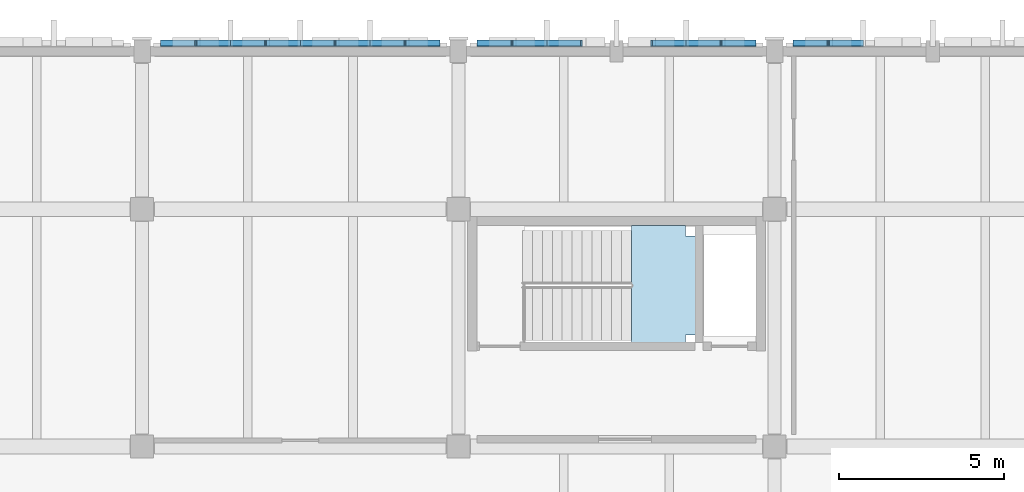
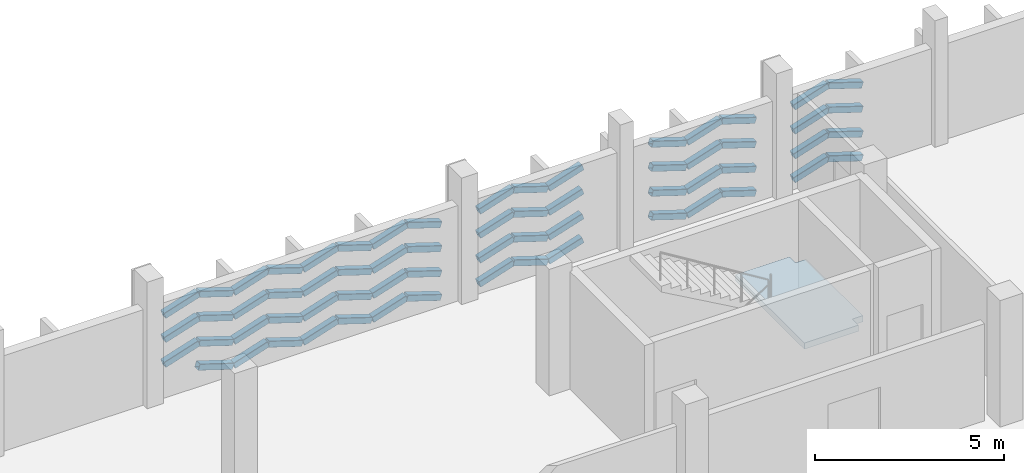
# One storey, part 101 of 134: 63 plates, 1 slab, 1 element without a shape of its own.
"""IFC4 building model written with IfcOpenShell, lengths in metres."""

from ifc_helpers import new_model, si_unit, direction, frame, origin, origin_2d, place, context, subcontext, project, spatial, polyline, hollow_rectangle, outline, extrude, material, layer, layer_set, material_profile, profile_set, type_object, element, aggregate, save


model = new_model("IFC4")

# Units and contexts
model_context = context("Model", 3, precision=1e-05, world=origin(), true_north=direction((0.0, 1.0)))
body_context = subcontext(model_context, "Body", "Model", "MODEL_VIEW")
ifc_project = project(units=[si_unit("LENGTHUNIT", "METRE"), si_unit("AREAUNIT", "SQUARE_METRE"), si_unit("VOLUMEUNIT", "CUBIC_METRE"), si_unit("PLANEANGLEUNIT", "RADIAN"), si_unit("MASSUNIT", "GRAM", prefix="KILO")], contexts=[model_context])

# Site, building, storey
site_placement = place(None, origin())
site = spatial("IfcSite", under=ifc_project, at=site_placement, CompositionType="ELEMENT")
building_placement = place(site_placement, origin())
building = spatial("IfcBuilding", under=site, at=building_placement, Name="Asteropetra Specialist Clinic", CompositionType="ELEMENT")
storey_placement = place(building_placement, frame((0.0, 0.0, 8.5)))
storey = spatial("IfcBuildingStorey", under=building, at=storey_placement, Name="L02", CompositionType="ELEMENT", Elevation=8.5)

# Plates
ifc_material_1 = material(Name="Chevron emerald aluminium 6063-T6", Category="aluminium")
ifc_material_profile = material_profile(ifc_material_1, hollow_rectangle(XDim=0.199951171875, YDim=0.199951171875, WallThickness=0.010009765625, InnerFilletRadius=0.008056640625, OuterFilletRadius=0.01611328125, at=origin_2d()), Name="SHS 200x200x10.0")
ifc_profile_set = profile_set([ifc_material_profile], Name="Chevron emerald aluminium 6063-T6")
plate_type = type_object("IfcPlateType", Name="CHV-RIB-200", PredefinedType="SHEET", material=ifc_profile_set)
plate_1_placement = place(storey_placement, frame((28.2099609375, 110.64208984375, 0.050048828125), z_axis=(-0.952077507958, 0.0, 0.305856860052), x_axis=(0.0, -1.0, 0.0)))
element("IfcPlate", 1, at=plate_1_placement, inside=storey, type_object=plate_type, Name="Chevron Facade Screen Fin CVR-0899", PredefinedType="SHEET", context=body_context, shape_type="SweptSolid", body=[
    extrude(hollow_rectangle(XDim=0.199951171875, YDim=0.199951171875, WallThickness=0.010009765625, InnerFilletRadius=0.008056640625, OuterFilletRadius=0.01611328125, at=origin_2d()), origin(), (0.0, 0.0, 1.0), 1.089599609375),
])
plate_2_placement = place(storey_placement, frame((27.172607421875, 110.64208984375, 0.38330078125), z_axis=(-0.952098462736, 0.0, -0.305791623914), x_axis=(0.0, -1.0, 0.0)))
element("IfcPlate", 2, at=plate_2_placement, inside=storey, type_object=plate_type, Name="Chevron Facade Screen Fin CVR-0900", PredefinedType="SHEET", context=body_context, shape_type="SweptSolid", body=[
    extrude(hollow_rectangle(XDim=0.199951171875, YDim=0.199951171875, WallThickness=0.010009765625, InnerFilletRadius=0.008056640625, OuterFilletRadius=0.01611328125, at=origin_2d()), origin(), (0.0, 0.0, 1.0), 1.08984375),
])
plate_3_placement = place(storey_placement, frame((28.2099609375, 110.64208984375, 0.820068359375), z_axis=(-0.952077507958, 0.0, 0.305856860052), x_axis=(0.0, -1.0, 0.0)))
element("IfcPlate", 3, at=plate_3_placement, inside=storey, type_object=plate_type, Name="Chevron Facade Screen Fin CVR-0901", PredefinedType="SHEET", context=body_context, shape_type="SweptSolid", body=[
    extrude(hollow_rectangle(XDim=0.199951171875, YDim=0.199951171875, WallThickness=0.010009765625, InnerFilletRadius=0.008056640625, OuterFilletRadius=0.01611328125, at=origin_2d()), origin(), (0.0, 0.0, 1.0), 1.089599609375),
])
plate_4_placement = place(storey_placement, frame((27.172607421875, 110.64208984375, 1.1533203125), z_axis=(-0.952098462736, 0.0, -0.305791623914), x_axis=(0.0, -1.0, 0.0)))
element("IfcPlate", 4, at=plate_4_placement, inside=storey, type_object=plate_type, Name="Chevron Facade Screen Fin CVR-0902", PredefinedType="SHEET", context=body_context, shape_type="SweptSolid", body=[
    extrude(hollow_rectangle(XDim=0.199951171875, YDim=0.199951171875, WallThickness=0.010009765625, InnerFilletRadius=0.008056640625, OuterFilletRadius=0.01611328125, at=origin_2d()), origin(), (0.0, 0.0, 1.0), 1.08984375),
])
plate_5_placement = place(storey_placement, frame((28.2099609375, 110.64208984375, 1.6201171875), z_axis=(-0.952077507958, 0.0, 0.305856860052), x_axis=(0.0, -1.0, 0.0)))
element("IfcPlate", 5, at=plate_5_placement, inside=storey, type_object=plate_type, Name="Chevron Facade Screen Fin CVR-0903", PredefinedType="SHEET", context=body_context, shape_type="SweptSolid", body=[
    extrude(hollow_rectangle(XDim=0.199951171875, YDim=0.199951171875, WallThickness=0.010009765625, InnerFilletRadius=0.008056640625, OuterFilletRadius=0.01611328125, at=origin_2d()), origin(), (0.0, 0.0, 1.0), 1.089599609375),
])
plate_6_placement = place(storey_placement, frame((27.172607421875, 110.64208984375, 1.953369140625), z_axis=(-0.952098462736, 0.0, -0.305791623914), x_axis=(0.0, -1.0, 0.0)))
element("IfcPlate", 6, at=plate_6_placement, inside=storey, type_object=plate_type, Name="Chevron Facade Screen Fin CVR-0904", PredefinedType="SHEET", context=body_context, shape_type="SweptSolid", body=[
    extrude(hollow_rectangle(XDim=0.199951171875, YDim=0.199951171875, WallThickness=0.010009765625, InnerFilletRadius=0.008056640625, OuterFilletRadius=0.01611328125, at=origin_2d()), origin(), (0.0, 0.0, 1.0), 1.08984375),
])
plate_7_placement = place(storey_placement, frame((28.2099609375, 110.64208984375, 2.39990234375), z_axis=(-0.952012241431, 0.0, 0.306059948646), x_axis=(0.0, -1.0, 0.0)))
element("IfcPlate", 7, at=plate_7_placement, inside=storey, type_object=plate_type, Name="Chevron Facade Screen Fin CVR-0905", PredefinedType="SHEET", context=body_context, shape_type="SweptSolid", body=[
    extrude(hollow_rectangle(XDim=0.199951171875, YDim=0.199951171875, WallThickness=0.010009765625, InnerFilletRadius=0.008056640625, OuterFilletRadius=0.01611328125, at=origin_2d()), origin(), (0.0, 0.0, 1.0), 1.089599609375),
])
plate_8_placement = place(storey_placement, frame((27.172607421875, 110.64208984375, 2.7333984375), z_axis=(-0.952033222609, 0.0, -0.305994678137), x_axis=(0.0, -1.0, 0.0)))
element("IfcPlate", 8, at=plate_8_placement, inside=storey, type_object=plate_type, Name="Chevron Facade Screen Fin CVR-0906", PredefinedType="SHEET", context=body_context, shape_type="SweptSolid", body=[
    extrude(hollow_rectangle(XDim=0.199951171875, YDim=0.199951171875, WallThickness=0.010009765625, InnerFilletRadius=0.008056640625, OuterFilletRadius=0.01611328125, at=origin_2d()), origin(), (0.0, 0.0, 1.0), 1.08984375),
])
plate_9_placement = place(storey_placement, frame((26.094970703125, 110.64208984375, 0.050048828125), z_axis=(-0.952077507958, 0.0, 0.305856860052), x_axis=(0.0, -1.0, 0.0)))
element("IfcPlate", 9, at=plate_9_placement, inside=storey, type_object=plate_type, Name="Chevron Facade Screen Fin CVR-0907", PredefinedType="SHEET", context=body_context, shape_type="SweptSolid", body=[
    extrude(hollow_rectangle(XDim=0.199951171875, YDim=0.199951171875, WallThickness=0.010009765625, InnerFilletRadius=0.008056640625, OuterFilletRadius=0.01611328125, at=origin_2d()), origin(), (0.0, 0.0, 1.0), 1.089599609375),
])
plate_10_placement = place(storey_placement, frame((25.0576171875, 110.64208984375, 0.38330078125), z_axis=(-0.952098462736, 0.0, -0.305791623914), x_axis=(0.0, -1.0, 0.0)))
element("IfcPlate", 10, at=plate_10_placement, inside=storey, type_object=plate_type, Name="Chevron Facade Screen Fin CVR-0908", PredefinedType="SHEET", context=body_context, shape_type="SweptSolid", body=[
    extrude(hollow_rectangle(XDim=0.199951171875, YDim=0.199951171875, WallThickness=0.010009765625, InnerFilletRadius=0.008056640625, OuterFilletRadius=0.01611328125, at=origin_2d()), origin(), (0.0, 0.0, 1.0), 1.08984375),
])
plate_11_placement = place(storey_placement, frame((26.094970703125, 110.64208984375, 0.820068359375), z_axis=(-0.952077507958, 0.0, 0.305856860052), x_axis=(0.0, -1.0, 0.0)))
element("IfcPlate", 11, at=plate_11_placement, inside=storey, type_object=plate_type, Name="Chevron Facade Screen Fin CVR-0909", PredefinedType="SHEET", context=body_context, shape_type="SweptSolid", body=[
    extrude(hollow_rectangle(XDim=0.199951171875, YDim=0.199951171875, WallThickness=0.010009765625, InnerFilletRadius=0.008056640625, OuterFilletRadius=0.01611328125, at=origin_2d()), origin(), (0.0, 0.0, 1.0), 1.089599609375),
])
plate_12_placement = place(storey_placement, frame((25.0576171875, 110.64208984375, 1.1533203125), z_axis=(-0.952098462736, 0.0, -0.305791623914), x_axis=(0.0, -1.0, 0.0)))
element("IfcPlate", 12, at=plate_12_placement, inside=storey, type_object=plate_type, Name="Chevron Facade Screen Fin CVR-0910", PredefinedType="SHEET", context=body_context, shape_type="SweptSolid", body=[
    extrude(hollow_rectangle(XDim=0.199951171875, YDim=0.199951171875, WallThickness=0.010009765625, InnerFilletRadius=0.008056640625, OuterFilletRadius=0.01611328125, at=origin_2d()), origin(), (0.0, 0.0, 1.0), 1.08984375),
])
plate_13_placement = place(storey_placement, frame((26.094970703125, 110.64208984375, 1.6201171875), z_axis=(-0.952077507958, 0.0, 0.305856860052), x_axis=(0.0, -1.0, 0.0)))
element("IfcPlate", 13, at=plate_13_placement, inside=storey, type_object=plate_type, Name="Chevron Facade Screen Fin CVR-0911", PredefinedType="SHEET", context=body_context, shape_type="SweptSolid", body=[
    extrude(hollow_rectangle(XDim=0.199951171875, YDim=0.199951171875, WallThickness=0.010009765625, InnerFilletRadius=0.008056640625, OuterFilletRadius=0.01611328125, at=origin_2d()), origin(), (0.0, 0.0, 1.0), 1.089599609375),
])
plate_14_placement = place(storey_placement, frame((25.0576171875, 110.64208984375, 1.953369140625), z_axis=(-0.952098462736, 0.0, -0.305791623914), x_axis=(0.0, -1.0, 0.0)))
element("IfcPlate", 14, at=plate_14_placement, inside=storey, type_object=plate_type, Name="Chevron Facade Screen Fin CVR-0912", PredefinedType="SHEET", context=body_context, shape_type="SweptSolid", body=[
    extrude(hollow_rectangle(XDim=0.199951171875, YDim=0.199951171875, WallThickness=0.010009765625, InnerFilletRadius=0.008056640625, OuterFilletRadius=0.01611328125, at=origin_2d()), origin(), (0.0, 0.0, 1.0), 1.08984375),
])
plate_15_placement = place(storey_placement, frame((26.094970703125, 110.64208984375, 2.39990234375), z_axis=(-0.952012241431, 0.0, 0.306059948646), x_axis=(0.0, -1.0, 0.0)))
element("IfcPlate", 15, at=plate_15_placement, inside=storey, type_object=plate_type, Name="Chevron Facade Screen Fin CVR-0913", PredefinedType="SHEET", context=body_context, shape_type="SweptSolid", body=[
    extrude(hollow_rectangle(XDim=0.199951171875, YDim=0.199951171875, WallThickness=0.010009765625, InnerFilletRadius=0.008056640625, OuterFilletRadius=0.01611328125, at=origin_2d()), origin(), (0.0, 0.0, 1.0), 1.089599609375),
])
for number, where, z_axis, x_axis, name in (
    (16, (25.0576171875, 110.64208984375, 2.7333984375), (-0.952033222609, 0.0, -0.305994678137), (0.0, -1.0, 0.0), "Chevron Facade Screen Fin CVR-0914"),
    (17, (23.97998046875, 110.64208984375, 0.050048828125), (-0.952098462736, 0.0, 0.305791623914), (0.0, -1.0, 0.0), "Chevron Facade Screen Fin CVR-0915"),
):
    element("IfcPlate", number, at=place(storey_placement, frame(where, z_axis=z_axis, x_axis=x_axis)), inside=storey, type_object=plate_type, Name=name, PredefinedType="SHEET", context=body_context, shape_type="SweptSolid", body=[
        extrude(hollow_rectangle(XDim=0.199951171875, YDim=0.199951171875, WallThickness=0.010009765625, InnerFilletRadius=0.008056640625, OuterFilletRadius=0.01611328125, at=origin_2d()), origin(), (0.0, 0.0, 1.0), 1.08984375),
    ])
plate_16_placement = place(storey_placement, frame((22.9423828125, 110.64208984375, 0.38330078125), z_axis=(-0.952077507958, 0.0, -0.305856860052), x_axis=(0.0, -1.0, 0.0)))
element("IfcPlate", 18, at=plate_16_placement, inside=storey, type_object=plate_type, Name="Chevron Facade Screen Fin CVR-0916", PredefinedType="SHEET", context=body_context, shape_type="SweptSolid", body=[
    extrude(hollow_rectangle(XDim=0.199951171875, YDim=0.199951171875, WallThickness=0.010009765625, InnerFilletRadius=0.008056640625, OuterFilletRadius=0.01611328125, at=origin_2d()), origin(), (0.0, 0.0, 1.0), 1.089599609375),
])
plate_17_placement = place(storey_placement, frame((23.97998046875, 110.64208984375, 0.820068359375), z_axis=(-0.952098462736, 0.0, 0.305791623914), x_axis=(0.0, -1.0, 0.0)))
element("IfcPlate", 19, at=plate_17_placement, inside=storey, type_object=plate_type, Name="Chevron Facade Screen Fin CVR-0917", PredefinedType="SHEET", context=body_context, shape_type="SweptSolid", body=[
    extrude(hollow_rectangle(XDim=0.199951171875, YDim=0.199951171875, WallThickness=0.010009765625, InnerFilletRadius=0.008056640625, OuterFilletRadius=0.01611328125, at=origin_2d()), origin(), (0.0, 0.0, 1.0), 1.08984375),
])
plate_18_placement = place(storey_placement, frame((22.9423828125, 110.64208984375, 1.1533203125), z_axis=(-0.952077507958, 0.0, -0.305856860052), x_axis=(0.0, -1.0, 0.0)))
element("IfcPlate", 20, at=plate_18_placement, inside=storey, type_object=plate_type, Name="Chevron Facade Screen Fin CVR-0918", PredefinedType="SHEET", context=body_context, shape_type="SweptSolid", body=[
    extrude(hollow_rectangle(XDim=0.199951171875, YDim=0.199951171875, WallThickness=0.010009765625, InnerFilletRadius=0.008056640625, OuterFilletRadius=0.01611328125, at=origin_2d()), origin(), (0.0, 0.0, 1.0), 1.089599609375),
])
plate_19_placement = place(storey_placement, frame((23.97998046875, 110.64208984375, 1.6201171875), z_axis=(-0.952098462736, 0.0, 0.305791623914), x_axis=(0.0, -1.0, 0.0)))
element("IfcPlate", 21, at=plate_19_placement, inside=storey, type_object=plate_type, Name="Chevron Facade Screen Fin CVR-0919", PredefinedType="SHEET", context=body_context, shape_type="SweptSolid", body=[
    extrude(hollow_rectangle(XDim=0.199951171875, YDim=0.199951171875, WallThickness=0.010009765625, InnerFilletRadius=0.008056640625, OuterFilletRadius=0.01611328125, at=origin_2d()), origin(), (0.0, 0.0, 1.0), 1.08984375),
])
plate_20_placement = place(storey_placement, frame((22.9423828125, 110.64208984375, 1.953369140625), z_axis=(-0.952077507958, 0.0, -0.305856860052), x_axis=(0.0, -1.0, 0.0)))
element("IfcPlate", 22, at=plate_20_placement, inside=storey, type_object=plate_type, Name="Chevron Facade Screen Fin CVR-0920", PredefinedType="SHEET", context=body_context, shape_type="SweptSolid", body=[
    extrude(hollow_rectangle(XDim=0.199951171875, YDim=0.199951171875, WallThickness=0.010009765625, InnerFilletRadius=0.008056640625, OuterFilletRadius=0.01611328125, at=origin_2d()), origin(), (0.0, 0.0, 1.0), 1.089599609375),
])
plate_21_placement = place(storey_placement, frame((23.97998046875, 110.64208984375, 2.39990234375), z_axis=(-0.952033222609, 0.0, 0.305994678137), x_axis=(0.0, -1.0, 0.0)))
element("IfcPlate", 23, at=plate_21_placement, inside=storey, type_object=plate_type, Name="Chevron Facade Screen Fin CVR-0921", PredefinedType="SHEET", context=body_context, shape_type="SweptSolid", body=[
    extrude(hollow_rectangle(XDim=0.199951171875, YDim=0.199951171875, WallThickness=0.010009765625, InnerFilletRadius=0.008056640625, OuterFilletRadius=0.01611328125, at=origin_2d()), origin(), (0.0, 0.0, 1.0), 1.08984375),
])
plate_22_placement = place(storey_placement, frame((22.9423828125, 110.64208984375, 2.7333984375), z_axis=(-0.952012241431, 0.0, -0.306059948646), x_axis=(0.0, -1.0, 0.0)))
element("IfcPlate", 24, at=plate_22_placement, inside=storey, type_object=plate_type, Name="Chevron Facade Screen Fin CVR-0922", PredefinedType="SHEET", context=body_context, shape_type="SweptSolid", body=[
    extrude(hollow_rectangle(XDim=0.199951171875, YDim=0.199951171875, WallThickness=0.010009765625, InnerFilletRadius=0.008056640625, OuterFilletRadius=0.01611328125, at=origin_2d()), origin(), (0.0, 0.0, 1.0), 1.089599609375),
])
for number, where, z_axis, x_axis, name in (
    (25, (21.864990234375, 110.64208984375, 0.050048828125), (-0.952098462736, 0.0, 0.305791623914), (0.0, -1.0, 0.0), "Chevron Facade Screen Fin CVR-0923"),
    (26, (21.864990234375, 110.64208984375, 0.820068359375), (-0.952098462736, 0.0, 0.305791623914), (0.0, -1.0, 0.0), "Chevron Facade Screen Fin CVR-0925"),
):
    element("IfcPlate", number, at=place(storey_placement, frame(where, z_axis=z_axis, x_axis=x_axis)), inside=storey, type_object=plate_type, Name=name, PredefinedType="SHEET", context=body_context, shape_type="SweptSolid", body=[
        extrude(hollow_rectangle(XDim=0.199951171875, YDim=0.199951171875, WallThickness=0.010009765625, InnerFilletRadius=0.008056640625, OuterFilletRadius=0.01611328125, at=origin_2d()), origin(), (0.0, 0.0, 1.0), 1.08984375),
    ])
plate_23_placement = place(storey_placement, frame((20.827392578125, 110.64208984375, 1.1533203125), z_axis=(-0.952077507958, 0.0, -0.305856860052), x_axis=(0.0, -1.0, 0.0)))
element("IfcPlate", 27, at=plate_23_placement, inside=storey, type_object=plate_type, Name="Chevron Facade Screen Fin CVR-0926", PredefinedType="SHEET", context=body_context, shape_type="SweptSolid", body=[
    extrude(hollow_rectangle(XDim=0.199951171875, YDim=0.199951171875, WallThickness=0.010009765625, InnerFilletRadius=0.008056640625, OuterFilletRadius=0.01611328125, at=origin_2d()), origin(), (0.0, 0.0, 1.0), 1.089599609375),
])
plate_24_placement = place(storey_placement, frame((21.864990234375, 110.64208984375, 1.6201171875), z_axis=(-0.952098462736, 0.0, 0.305791623914), x_axis=(0.0, -1.0, 0.0)))
element("IfcPlate", 28, at=plate_24_placement, inside=storey, type_object=plate_type, Name="Chevron Facade Screen Fin CVR-0927", PredefinedType="SHEET", context=body_context, shape_type="SweptSolid", body=[
    extrude(hollow_rectangle(XDim=0.199951171875, YDim=0.199951171875, WallThickness=0.010009765625, InnerFilletRadius=0.008056640625, OuterFilletRadius=0.01611328125, at=origin_2d()), origin(), (0.0, 0.0, 1.0), 1.08984375),
])
plate_25_placement = place(storey_placement, frame((20.827392578125, 110.64208984375, 1.953369140625), z_axis=(-0.952077507958, 0.0, -0.305856860052), x_axis=(0.0, -1.0, 0.0)))
element("IfcPlate", 29, at=plate_25_placement, inside=storey, type_object=plate_type, Name="Chevron Facade Screen Fin CVR-0928", PredefinedType="SHEET", context=body_context, shape_type="SweptSolid", body=[
    extrude(hollow_rectangle(XDim=0.199951171875, YDim=0.199951171875, WallThickness=0.010009765625, InnerFilletRadius=0.008056640625, OuterFilletRadius=0.01611328125, at=origin_2d()), origin(), (0.0, 0.0, 1.0), 1.089599609375),
])
plate_26_placement = place(storey_placement, frame((21.864990234375, 110.64208984375, 2.39990234375), z_axis=(-0.952033222609, 0.0, 0.305994678137), x_axis=(0.0, -1.0, 0.0)))
element("IfcPlate", 30, at=plate_26_placement, inside=storey, type_object=plate_type, Name="Chevron Facade Screen Fin CVR-0929", PredefinedType="SHEET", context=body_context, shape_type="SweptSolid", body=[
    extrude(hollow_rectangle(XDim=0.199951171875, YDim=0.199951171875, WallThickness=0.010009765625, InnerFilletRadius=0.008056640625, OuterFilletRadius=0.01611328125, at=origin_2d()), origin(), (0.0, 0.0, 1.0), 1.08984375),
])
plate_27_placement = place(storey_placement, frame((20.827392578125, 110.64208984375, 2.7333984375), z_axis=(-0.952012241431, 0.0, -0.306059948646), x_axis=(0.0, -1.0, 0.0)))
element("IfcPlate", 31, at=plate_27_placement, inside=storey, type_object=plate_type, Name="Chevron Facade Screen Fin CVR-0930", PredefinedType="SHEET", context=body_context, shape_type="SweptSolid", body=[
    extrude(hollow_rectangle(XDim=0.199951171875, YDim=0.199951171875, WallThickness=0.010009765625, InnerFilletRadius=0.008056640625, OuterFilletRadius=0.01611328125, at=origin_2d()), origin(), (0.0, 0.0, 1.0), 1.089599609375),
])
plate_28_placement = place(storey_placement, frame((37.81005859375, 110.64208984375, 0.050048828125), z_axis=(-0.952098462736, 0.0, 0.305791623914), x_axis=(0.0, -1.0, 0.0)))
element("IfcPlate", 32, at=plate_28_placement, inside=storey, type_object=plate_type, Name="Chevron Facade Screen Fin CVR-0955", PredefinedType="SHEET", context=body_context, shape_type="SweptSolid", body=[
    extrude(hollow_rectangle(XDim=0.199951171875, YDim=0.199951171875, WallThickness=0.010009765625, InnerFilletRadius=0.008056640625, OuterFilletRadius=0.01611328125, at=origin_2d()), origin(), (0.0, 0.0, 1.0), 1.08984375),
])
plate_29_placement = place(storey_placement, frame((36.7724609375, 110.64208984375, 0.38330078125), z_axis=(-0.952077507958, 0.0, -0.305856860052), x_axis=(0.0, -1.0, 0.0)))
element("IfcPlate", 33, at=plate_29_placement, inside=storey, type_object=plate_type, Name="Chevron Facade Screen Fin CVR-0956", PredefinedType="SHEET", context=body_context, shape_type="SweptSolid", body=[
    extrude(hollow_rectangle(XDim=0.199951171875, YDim=0.199951171875, WallThickness=0.010009765625, InnerFilletRadius=0.008056640625, OuterFilletRadius=0.01611328125, at=origin_2d()), origin(), (0.0, 0.0, 1.0), 1.089599609375),
])
plate_30_placement = place(storey_placement, frame((37.81005859375, 110.64208984375, 0.820068359375), z_axis=(-0.952098462736, 0.0, 0.305791623914), x_axis=(0.0, -1.0, 0.0)))
element("IfcPlate", 34, at=plate_30_placement, inside=storey, type_object=plate_type, Name="Chevron Facade Screen Fin CVR-0957", PredefinedType="SHEET", context=body_context, shape_type="SweptSolid", body=[
    extrude(hollow_rectangle(XDim=0.199951171875, YDim=0.199951171875, WallThickness=0.010009765625, InnerFilletRadius=0.008056640625, OuterFilletRadius=0.01611328125, at=origin_2d()), origin(), (0.0, 0.0, 1.0), 1.08984375),
])
plate_31_placement = place(storey_placement, frame((36.7724609375, 110.64208984375, 1.1533203125), z_axis=(-0.952077507958, 0.0, -0.305856860052), x_axis=(0.0, -1.0, 0.0)))
element("IfcPlate", 35, at=plate_31_placement, inside=storey, type_object=plate_type, Name="Chevron Facade Screen Fin CVR-0958", PredefinedType="SHEET", context=body_context, shape_type="SweptSolid", body=[
    extrude(hollow_rectangle(XDim=0.199951171875, YDim=0.199951171875, WallThickness=0.010009765625, InnerFilletRadius=0.008056640625, OuterFilletRadius=0.01611328125, at=origin_2d()), origin(), (0.0, 0.0, 1.0), 1.089599609375),
])
plate_32_placement = place(storey_placement, frame((37.81005859375, 110.64208984375, 1.6201171875), z_axis=(-0.952098462736, 0.0, 0.305791623914), x_axis=(0.0, -1.0, 0.0)))
element("IfcPlate", 36, at=plate_32_placement, inside=storey, type_object=plate_type, Name="Chevron Facade Screen Fin CVR-0959", PredefinedType="SHEET", context=body_context, shape_type="SweptSolid", body=[
    extrude(hollow_rectangle(XDim=0.199951171875, YDim=0.199951171875, WallThickness=0.010009765625, InnerFilletRadius=0.008056640625, OuterFilletRadius=0.01611328125, at=origin_2d()), origin(), (0.0, 0.0, 1.0), 1.08984375),
])
plate_33_placement = place(storey_placement, frame((36.7724609375, 110.64208984375, 1.953369140625), z_axis=(-0.952077507958, 0.0, -0.305856860052), x_axis=(0.0, -1.0, 0.0)))
element("IfcPlate", 37, at=plate_33_placement, inside=storey, type_object=plate_type, Name="Chevron Facade Screen Fin CVR-0960", PredefinedType="SHEET", context=body_context, shape_type="SweptSolid", body=[
    extrude(hollow_rectangle(XDim=0.199951171875, YDim=0.199951171875, WallThickness=0.010009765625, InnerFilletRadius=0.008056640625, OuterFilletRadius=0.01611328125, at=origin_2d()), origin(), (0.0, 0.0, 1.0), 1.089599609375),
])
plate_34_placement = place(storey_placement, frame((37.81005859375, 110.64208984375, 2.39990234375), z_axis=(-0.952033222609, 0.0, 0.305994678137), x_axis=(0.0, -1.0, 0.0)))
element("IfcPlate", 38, at=plate_34_placement, inside=storey, type_object=plate_type, Name="Chevron Facade Screen Fin CVR-0961", PredefinedType="SHEET", context=body_context, shape_type="SweptSolid", body=[
    extrude(hollow_rectangle(XDim=0.199951171875, YDim=0.199951171875, WallThickness=0.010009765625, InnerFilletRadius=0.008056640625, OuterFilletRadius=0.01611328125, at=origin_2d()), origin(), (0.0, 0.0, 1.0), 1.08984375),
])
plate_35_placement = place(storey_placement, frame((36.7724609375, 110.64208984375, 2.7333984375), z_axis=(-0.952012241431, 0.0, -0.306059948646), x_axis=(0.0, -1.0, 0.0)))
element("IfcPlate", 39, at=plate_35_placement, inside=storey, type_object=plate_type, Name="Chevron Facade Screen Fin CVR-0962", PredefinedType="SHEET", context=body_context, shape_type="SweptSolid", body=[
    extrude(hollow_rectangle(XDim=0.199951171875, YDim=0.199951171875, WallThickness=0.010009765625, InnerFilletRadius=0.008056640625, OuterFilletRadius=0.01611328125, at=origin_2d()), origin(), (0.0, 0.0, 1.0), 1.089599609375),
])
for number, where, z_axis, x_axis, name in (
    (40, (35.695068359375, 110.64208984375, 0.050048828125), (-0.952098462736, 0.0, 0.305791623914), (0.0, -1.0, 0.0), "Chevron Facade Screen Fin CVR-0963"),
    (41, (35.695068359375, 110.64208984375, 0.820068359375), (-0.952098462736, 0.0, 0.305791623914), (0.0, -1.0, 0.0), "Chevron Facade Screen Fin CVR-0964"),
    (42, (35.695068359375, 110.64208984375, 1.6201171875), (-0.952098462736, 0.0, 0.305791623914), (0.0, -1.0, 0.0), "Chevron Facade Screen Fin CVR-0965"),
    (43, (35.695068359375, 110.64208984375, 2.39990234375), (-0.952033222609, 0.0, 0.305994678137), (0.0, -1.0, 0.0), "Chevron Facade Screen Fin CVR-0966"),
    (44, (32.54248046875, 110.64208984375, 0.38330078125), (-0.952098462736, 0.0, -0.305791623914), (0.0, -1.0, 0.0), "Chevron Facade Screen Fin CVR-0967"),
    (45, (32.54248046875, 110.64208984375, 1.1533203125), (-0.952098462736, 0.0, -0.305791623914), (0.0, -1.0, 0.0), "Chevron Facade Screen Fin CVR-0968"),
    (46, (32.54248046875, 110.64208984375, 1.953369140625), (-0.952098462736, 0.0, -0.305791623914), (0.0, -1.0, 0.0), "Chevron Facade Screen Fin CVR-0969"),
    (47, (32.54248046875, 110.64208984375, 2.7333984375), (-0.952033222609, 0.0, -0.305994678137), (0.0, -1.0, 0.0), "Chevron Facade Screen Fin CVR-0970"),
    (48, (31.465087890625, 110.64208984375, 0.050048828125), (-0.952098462736, 0.0, 0.305791623914), (0.0, -1.0, 0.0), "Chevron Facade Screen Fin CVR-0971"),
    (49, (30.427490234375, 110.64208984375, 0.38330078125), (-0.952098462736, 0.0, -0.305791623914), (0.0, -1.0, 0.0), "Chevron Facade Screen Fin CVR-0972"),
    (50, (31.465087890625, 110.64208984375, 0.820068359375), (-0.952098462736, 0.0, 0.305791623914), (0.0, -1.0, 0.0), "Chevron Facade Screen Fin CVR-0973"),
    (51, (30.427490234375, 110.64208984375, 1.1533203125), (-0.952098462736, 0.0, -0.305791623914), (0.0, -1.0, 0.0), "Chevron Facade Screen Fin CVR-0974"),
    (52, (31.465087890625, 110.64208984375, 1.6201171875), (-0.952098462736, 0.0, 0.305791623914), (0.0, -1.0, 0.0), "Chevron Facade Screen Fin CVR-0975"),
    (53, (30.427490234375, 110.64208984375, 1.953369140625), (-0.952098462736, 0.0, -0.305791623914), (0.0, -1.0, 0.0), "Chevron Facade Screen Fin CVR-0976"),
    (54, (31.465087890625, 110.64208984375, 2.39990234375), (-0.952033222609, 0.0, 0.305994678137), (0.0, -1.0, 0.0), "Chevron Facade Screen Fin CVR-0977"),
    (55, (30.427490234375, 110.64208984375, 2.7333984375), (-0.952033222609, 0.0, -0.305994678137), (0.0, -1.0, 0.0), "Chevron Facade Screen Fin CVR-0978"),
):
    element("IfcPlate", number, at=place(storey_placement, frame(where, z_axis=z_axis, x_axis=x_axis)), inside=storey, type_object=plate_type, Name=name, PredefinedType="SHEET", context=body_context, shape_type="SweptSolid", body=[
        extrude(hollow_rectangle(XDim=0.199951171875, YDim=0.199951171875, WallThickness=0.010009765625, InnerFilletRadius=0.008056640625, OuterFilletRadius=0.01611328125, at=origin_2d()), origin(), (0.0, 0.0, 1.0), 1.08984375),
    ])
plate_36_placement = place(storey_placement, frame((41.06494140625, 110.64208984375, 0.050048828125), z_axis=(-0.952077507958, 0.0, 0.305856860052), x_axis=(0.0, -1.0, 0.0)))
element("IfcPlate", 56, at=plate_36_placement, inside=storey, type_object=plate_type, Name="Chevron Facade Screen Fin CVR-1019", PredefinedType="SHEET", context=body_context, shape_type="SweptSolid", body=[
    extrude(hollow_rectangle(XDim=0.199951171875, YDim=0.199951171875, WallThickness=0.010009765625, InnerFilletRadius=0.008056640625, OuterFilletRadius=0.01611328125, at=origin_2d()), origin(), (0.0, 0.0, 1.0), 1.089599609375),
])
plate_37_placement = place(storey_placement, frame((40.027587890625, 110.64208984375, 0.38330078125), z_axis=(-0.952098462736, 0.0, -0.305791623914), x_axis=(0.0, -1.0, 0.0)))
element("IfcPlate", 57, at=plate_37_placement, inside=storey, type_object=plate_type, Name="Chevron Facade Screen Fin CVR-1020", PredefinedType="SHEET", context=body_context, shape_type="SweptSolid", body=[
    extrude(hollow_rectangle(XDim=0.199951171875, YDim=0.199951171875, WallThickness=0.010009765625, InnerFilletRadius=0.008056640625, OuterFilletRadius=0.01611328125, at=origin_2d()), origin(), (0.0, 0.0, 1.0), 1.08984375),
])
plate_38_placement = place(storey_placement, frame((41.06494140625, 110.64208984375, 0.820068359375), z_axis=(-0.952077507958, 0.0, 0.305856860052), x_axis=(0.0, -1.0, 0.0)))
element("IfcPlate", 58, at=plate_38_placement, inside=storey, type_object=plate_type, Name="Chevron Facade Screen Fin CVR-1021", PredefinedType="SHEET", context=body_context, shape_type="SweptSolid", body=[
    extrude(hollow_rectangle(XDim=0.199951171875, YDim=0.199951171875, WallThickness=0.010009765625, InnerFilletRadius=0.008056640625, OuterFilletRadius=0.01611328125, at=origin_2d()), origin(), (0.0, 0.0, 1.0), 1.089599609375),
])
plate_39_placement = place(storey_placement, frame((40.027587890625, 110.64208984375, 1.1533203125), z_axis=(-0.952098462736, 0.0, -0.305791623914), x_axis=(0.0, -1.0, 0.0)))
element("IfcPlate", 59, at=plate_39_placement, inside=storey, type_object=plate_type, Name="Chevron Facade Screen Fin CVR-1022", PredefinedType="SHEET", context=body_context, shape_type="SweptSolid", body=[
    extrude(hollow_rectangle(XDim=0.199951171875, YDim=0.199951171875, WallThickness=0.010009765625, InnerFilletRadius=0.008056640625, OuterFilletRadius=0.01611328125, at=origin_2d()), origin(), (0.0, 0.0, 1.0), 1.08984375),
])
plate_40_placement = place(storey_placement, frame((41.06494140625, 110.64208984375, 1.6201171875), z_axis=(-0.952077507958, 0.0, 0.305856860052), x_axis=(0.0, -1.0, 0.0)))
element("IfcPlate", 60, at=plate_40_placement, inside=storey, type_object=plate_type, Name="Chevron Facade Screen Fin CVR-1023", PredefinedType="SHEET", context=body_context, shape_type="SweptSolid", body=[
    extrude(hollow_rectangle(XDim=0.199951171875, YDim=0.199951171875, WallThickness=0.010009765625, InnerFilletRadius=0.008056640625, OuterFilletRadius=0.01611328125, at=origin_2d()), origin(), (0.0, 0.0, 1.0), 1.089599609375),
])
plate_41_placement = place(storey_placement, frame((40.027587890625, 110.64208984375, 1.953369140625), z_axis=(-0.952098462736, 0.0, -0.305791623914), x_axis=(0.0, -1.0, 0.0)))
element("IfcPlate", 61, at=plate_41_placement, inside=storey, type_object=plate_type, Name="Chevron Facade Screen Fin CVR-1024", PredefinedType="SHEET", context=body_context, shape_type="SweptSolid", body=[
    extrude(hollow_rectangle(XDim=0.199951171875, YDim=0.199951171875, WallThickness=0.010009765625, InnerFilletRadius=0.008056640625, OuterFilletRadius=0.01611328125, at=origin_2d()), origin(), (0.0, 0.0, 1.0), 1.08984375),
])
plate_42_placement = place(storey_placement, frame((41.06494140625, 110.64208984375, 2.39990234375), z_axis=(-0.952012241431, 0.0, 0.306059948646), x_axis=(0.0, -1.0, 0.0)))
element("IfcPlate", 62, at=plate_42_placement, inside=storey, type_object=plate_type, Name="Chevron Facade Screen Fin CVR-1025", PredefinedType="SHEET", context=body_context, shape_type="SweptSolid", body=[
    extrude(hollow_rectangle(XDim=0.199951171875, YDim=0.199951171875, WallThickness=0.010009765625, InnerFilletRadius=0.008056640625, OuterFilletRadius=0.01611328125, at=origin_2d()), origin(), (0.0, 0.0, 1.0), 1.089599609375),
])
plate_43_placement = place(storey_placement, frame((40.027587890625, 110.64208984375, 2.7333984375), z_axis=(-0.952033222609, 0.0, -0.305994678137), x_axis=(0.0, -1.0, 0.0)))
element("IfcPlate", 63, at=plate_43_placement, inside=storey, type_object=plate_type, Name="Chevron Facade Screen Fin CVR-1026", PredefinedType="SHEET", context=body_context, shape_type="SweptSolid", body=[
    extrude(hollow_rectangle(XDim=0.199951171875, YDim=0.199951171875, WallThickness=0.010009765625, InnerFilletRadius=0.008056640625, OuterFilletRadius=0.01611328125, at=origin_2d()), origin(), (0.0, 0.0, 1.0), 1.08984375),
])

# Stair, slab
ifc_material_2 = material(Name="Concrete C35/45", Category="concrete")
stair_type = type_object("IfcStairType", Name="STR-DOG-165", PredefinedType="TWO_STRAIGHT_RUN_STAIR", material=ifc_material_2)
stair_placement = place(storey_placement, origin())
stair = element("IfcStair", 64, at=stair_placement, inside=storey, type_object=stair_type, Name="Type I Stair ST02-L02", PredefinedType="TWO_STRAIGHT_RUN_STAIR")
ifc_material_3 = material(Name="Concrete C35/45", Category="concrete")
ifc_layer = layer(ifc_material_3, 0.199951171875)
ifc_layer_set = layer_set([ifc_layer], Name="Concrete C35/45")
slab_type = type_object("IfcSlabType", Name="SLB-LND-200", PredefinedType="LANDING", material=ifc_layer_set)
slab_placement = place(storey_placement, frame((0.0, 0.0, 1.840087890625)))
slab = element("IfcSlab", 65, at=slab_placement, type_object=slab_type, Name="ST02-L02 landing 1", PredefinedType="LANDING", context=body_context, shape_type="SweptSolid", body=[
    extrude(outline(polyline([(34.050048828125, 101.469970703125), (35.699951171875, 101.469970703125), (35.699951171875, 101.7900390625), (36.02001953125, 101.7900390625), (36.02001953125, 104.7900390625), (35.699951171875, 104.7900390625), (35.699951171875, 105.110107421875), (34.050048828125, 105.110107421875), (34.050048828125, 101.469970703125)])), origin(), (0.0, 0.0, 1.0), 0.199951171875),
])
aggregate(stair, [slab])

save(model, "model.ifc")
